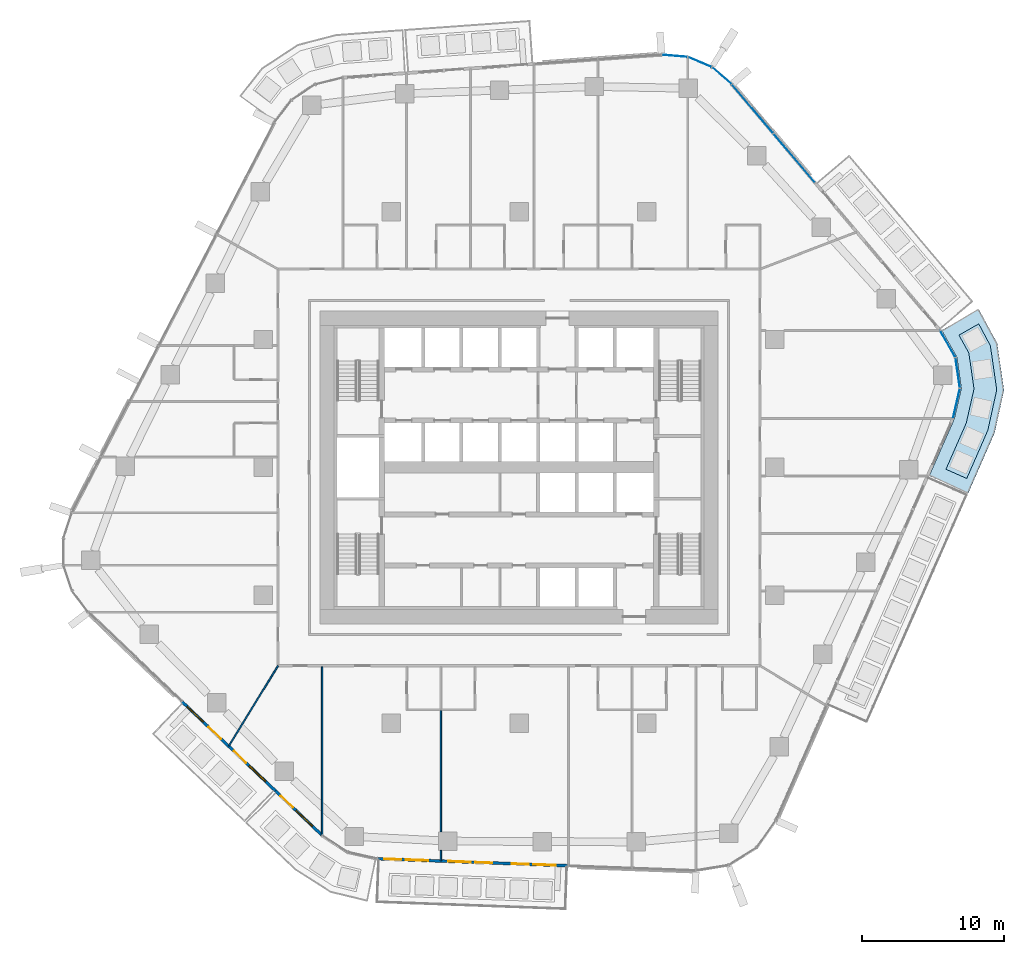
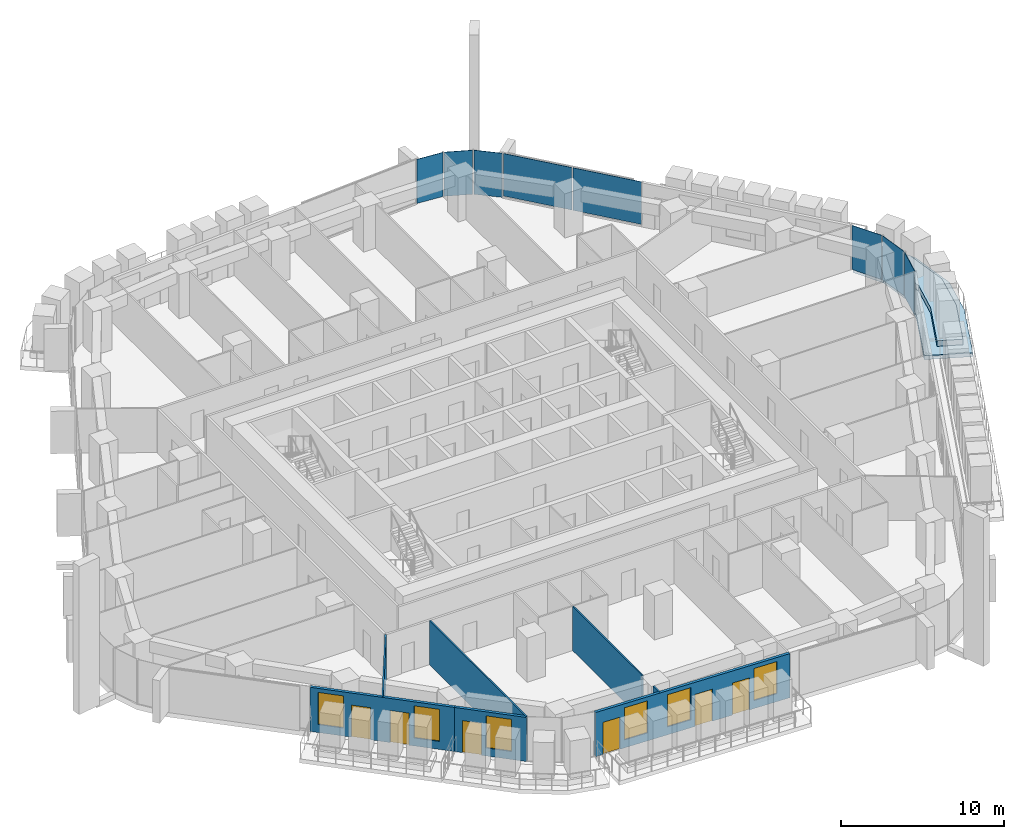
# One storey, part 11 of 24: 8 plates, 7 walls, 6 doors, 6 windows, 2 slabs, 12 openings, 3 elements without a shape of their own.
"""IFC4 building model written with IfcOpenShell, lengths in metres."""

import ifcopenshell
import ifcopenshell.guid

model = None  # the IFC model being written
_history = None  # IfcOwnerHistory: only IFC2X3 demands one
_inside = {}  # id of a spatial element -> (the spatial element, [elements in it])
_under = {}  # id of a project, library or spatial element -> (it, [spatial elements below it])
_declared = {}  # id of a project -> (the project, [libraries it declares])
_typed = {}  # id of a type object -> (the type object, [elements of that type])
_made_of = {}  # id of a material, layer set ... -> (it, [elements and type objects made of it])


def new_model(schema):
    """Start an empty IFC model of exactly this schema.

    Asked for "IFC4X3", IfcOpenShell would pick the latest addendum, in which some entities
    have other attributes; the version numbers below select the first issue.
    IFC2X3 requires an IfcOwnerHistory on every rooted entity: one is made here for all.
    """
    global model, _history
    if schema == "IFC4X3":
        model = ifcopenshell.file(schema_version=(4, 3, 0, 0))
    else:
        model = ifcopenshell.file(schema=schema)
    _inside.clear()
    _under.clear()
    _declared.clear()
    _typed.clear()
    _made_of.clear()
    _history = None
    if model.schema == "IFC2X3":
        org = make("IfcOrganization", Name="unknown")
        user = make(
            "IfcPersonAndOrganization",
            ThePerson=make("IfcPerson", FamilyName="unknown"),
            TheOrganization=org,
        )
        app = make(
            "IfcApplication",
            ApplicationDeveloper=org,
            Version="unknown",
            ApplicationFullName="unknown",
            ApplicationIdentifier="unknown",
        )
        _history = make(
            "IfcOwnerHistory",
            OwningUser=user,
            OwningApplication=app,
            ChangeAction="ADDED",
            CreationDate=0,
        )
    return model


def make(cls, **values):
    """One entity of the class cls with the attributes given. An attribute that is None is left unset."""
    return model.create_entity(
        cls, **{name: value for name, value in values.items() if value is not None}
    )


def rooted(cls, **values):
    """An entity with a GlobalId (a new one), such as an element, a storey or a relation."""
    return make(cls, GlobalId=ifcopenshell.guid.new(), OwnerHistory=_history, **values)


def si_unit(unit_type, name, prefix=None):
    """IfcSIUnit, for example si_unit("LENGTHUNIT", "METRE", prefix="MILLI")."""
    return make("IfcSIUnit", UnitType=unit_type, Prefix=prefix, Name=name)


def assignment(units):
    """IfcUnitAssignment: the units of a project."""
    return None if units is None else make("IfcUnitAssignment", Units=units)


def point(xyz):
    """IfcCartesianPoint."""
    return None if xyz is None else make("IfcCartesianPoint", Coordinates=xyz)


def direction(xyz):
    """IfcDirection."""
    return None if xyz is None else make("IfcDirection", DirectionRatios=xyz)


def frame(location, z_axis=None, x_axis=None):
    """IfcAxis2Placement3D, a coordinate frame: its origin and axes. An axis left out is left unset."""
    return make(
        "IfcAxis2Placement3D",
        Location=point(location),
        Axis=direction(z_axis),
        RefDirection=direction(x_axis),
    )


def frame_2d(location, x_axis=None):
    """IfcAxis2Placement2D, a coordinate frame in the plane: its origin and x axis."""
    return make(
        "IfcAxis2Placement2D", Location=point(location), RefDirection=direction(x_axis)
    )


def origin():
    """The frame at (0, 0, 0) with its axes left unset."""
    return frame((0.0, 0.0, 0.0))


def origin_2d():
    """The frame at (0, 0) in the plane with its x axis left unset."""
    return frame_2d((0.0, 0.0))


def place(relative_to, where):
    """IfcLocalPlacement: puts the frame where relative to a parent placement (None: the world)."""
    return make(
        "IfcLocalPlacement", PlacementRelTo=relative_to, RelativePlacement=where
    )


def context(
    kind, dimensions, precision=None, world=None, true_north=None, identifier=None
):
    """IfcGeometricRepresentationContext, for example the 3D "Model" context."""
    return make(
        "IfcGeometricRepresentationContext",
        ContextIdentifier=identifier,
        ContextType=kind,
        CoordinateSpaceDimension=dimensions,
        Precision=precision,
        WorldCoordinateSystem=world,
        TrueNorth=true_north,
    )


def subcontext(parent, identifier, kind, view, scale=None):
    """IfcGeometricRepresentationSubContext, for example "Body" below "Model"."""
    return make(
        "IfcGeometricRepresentationSubContext",
        ContextIdentifier=identifier,
        ContextType=kind,
        ParentContext=parent,
        TargetScale=scale,
        TargetView=view,
    )


def project(units=None, contexts=None):
    """IfcProject with its units and contexts."""
    return rooted(
        "IfcProject",
        Name="project",
        RepresentationContexts=contexts,
        UnitsInContext=assignment(units),
    )


def spatial(cls, under=None, at=None, **own):
    """A site, building, storey or space (cls), placed at a placement, below another one or the project."""
    s = rooted(cls, ObjectPlacement=at, **own)
    if under is not None:
        _under.setdefault(under.id(), (under, []))[1].append(s)
    return s


def polyline(points):
    """IfcPolyline through the points."""
    return make("IfcPolyline", Points=[point(p) for p in points])


def profile(cls, at=None, kind="AREA", **sizes):
    """A parametric profile (cls). Its sizes go by their IFC names, for example OverallWidth=200.0."""
    return make(cls, ProfileType=kind, Position=at, **sizes)


def rectangle(**sizes):
    """IfcRectangleProfileDef."""
    return profile("IfcRectangleProfileDef", **sizes)


def outline(outer, holes=None, kind="AREA"):
    """IfcArbitraryClosedProfileDef: a profile drawn as a closed curve; with holes, ...WithVoids."""
    if holes is None:
        return make("IfcArbitraryClosedProfileDef", ProfileType=kind, OuterCurve=outer)
    return make(
        "IfcArbitraryProfileDefWithVoids",
        ProfileType=kind,
        OuterCurve=outer,
        InnerCurves=holes,
    )


def extrude(swept, where, along, depth):
    """IfcExtrudedAreaSolid: the profile swept, set in the frame where, extruded along a direction by depth."""
    return make(
        "IfcExtrudedAreaSolid",
        SweptArea=swept,
        Position=where,
        ExtrudedDirection=direction(along),
        Depth=depth,
    )


def shape(context_of_items, identifier, shape_type, items):
    """IfcShapeRepresentation: the items that make up one representation, for example the "Body"."""
    return make(
        "IfcShapeRepresentation",
        ContextOfItems=context_of_items,
        RepresentationIdentifier=identifier,
        RepresentationType=shape_type,
        Items=items,
    )


def material(Name=None, Category=None):
    """IfcMaterial."""
    return make("IfcMaterial", Name=Name, Category=Category)


def layer(
    of_material, thickness, ventilated=None, Name=None, Category=None, Priority=None
):
    """IfcMaterialLayer: one layer of a wall or slab, of a material (None: an air gap)."""
    return make(
        "IfcMaterialLayer",
        Material=of_material,
        LayerThickness=thickness,
        IsVentilated=ventilated,
        Name=Name,
        Category=Category,
        Priority=Priority,
    )


def layer_set(layers, Name=None):
    """IfcMaterialLayerSet."""
    return make("IfcMaterialLayerSet", MaterialLayers=layers, LayerSetName=Name)


def made_of(thing, what):
    """Note that an element or type object is made of a material, layer set ...; save() writes the relation."""
    if what is not None:
        _made_of.setdefault(what.id(), (what, []))[1].append(thing)
    return thing


def type_object(cls, material=None, **own):
    """A type object (cls), such as IfcWallType, which elements share."""
    return made_of(rooted(cls, **own), material)


def element(
    cls,
    number,
    at=None,
    inside=None,
    cuts=None,
    type_object=None,
    material=None,
    context=None,
    identifier="Body",
    shape_type=None,
    held_by="IfcProductDefinitionShape",
    body=None,
    shapes=None,
    **own,
):
    """One element of the class cls, such as IfcWall. Its Tag is "e" and its number.

    at: its placement. inside: the storey or other place that contains it. cuts: it is an
    opening in that element (IfcRelVoidsElement). A single representation is given by context,
    identifier, shape_type and body (its items); several are given by shapes. held_by: the class
    of the entity that holds the representations. save() writes the other relations.
    """
    e = rooted(cls, Tag="e%d" % number, ObjectPlacement=at, **own)
    if body is not None:
        shapes = [shape(context, identifier, shape_type, body)]
    if shapes is not None:
        e.Representation = make(held_by, Representations=shapes)
    if inside is not None:
        _inside.setdefault(inside.id(), (inside, []))[1].append(e)
    if cuts is not None:
        rooted(
            "IfcRelVoidsElement", RelatingBuildingElement=cuts, RelatedOpeningElement=e
        )
    if type_object is not None:
        _typed.setdefault(type_object.id(), (type_object, []))[1].append(e)
    return made_of(e, material)


def fill(opening, filler):
    """IfcRelFillsElement: the door or window that sits in an opening."""
    return rooted(
        "IfcRelFillsElement",
        RelatingOpeningElement=opening,
        RelatedBuildingElement=filler,
    )


def aggregate(whole, parts):
    """IfcRelAggregates: a whole, such as a stair, and the parts it consists of."""
    return rooted("IfcRelAggregates", RelatingObject=whole, RelatedObjects=parts)


def save(model, path):
    """Write the relations noted so far, then the file.

    IfcRelAggregates (storeys below a building ...), IfcRelContainedInSpatialStructure (elements
    in a storey), IfcRelDefinesByType, IfcRelAssociatesMaterial and IfcRelDeclares: one each for
    every whole, place, type object, material and project.
    """
    for whole, parts in _under.values():
        aggregate(whole, parts)
    for where, things in _inside.values():
        rooted(
            "IfcRelContainedInSpatialStructure",
            RelatedElements=things,
            RelatingStructure=where,
        )
    for kind, things in _typed.values():
        rooted("IfcRelDefinesByType", RelatedObjects=things, RelatingType=kind)
    for what, things in _made_of.values():
        rooted("IfcRelAssociatesMaterial", RelatedObjects=things, RelatingMaterial=what)
    for by, libraries in _declared.values():
        rooted("IfcRelDeclares", RelatingContext=by, RelatedDefinitions=libraries)
    model.write(path)


model = new_model("IFC4")

# Units and contexts
model_context = context("Model", 3, precision=1e-05, world=origin(), true_north=direction((0.0, 1.0)))
body_context = subcontext(model_context, "Body", "Model", "MODEL_VIEW")
ifc_project = project(units=[si_unit("LENGTHUNIT", "METRE"), si_unit("AREAUNIT", "SQUARE_METRE"), si_unit("VOLUMEUNIT", "CUBIC_METRE"), si_unit("PLANEANGLEUNIT", "RADIAN"), si_unit("MASSUNIT", "GRAM", prefix="KILO")], contexts=[model_context])

# Site, building, storey
site_placement = place(None, origin())
site = spatial("IfcSite", under=ifc_project, at=site_placement, CompositionType="ELEMENT")
building_placement = place(site_placement, origin())
building = spatial("IfcBuilding", under=site, at=building_placement, Name="Dongbaek Canopy Tower", CompositionType="ELEMENT")
storey_placement = place(building_placement, frame((0.0, 0.0, 106.300048828125)))
storey = spatial("IfcBuildingStorey", under=building, at=storey_placement, Name="L22", CompositionType="ELEMENT", Elevation=106.300048828125)

# Slab
ifc_material_1 = material(Name="Concrete C40/50", Category="concrete")
ifc_layer_1 = layer(ifc_material_1, 0.300048828125)
ifc_layer_set_1 = layer_set([ifc_layer_1], Name="Balcony slab 300")
slab_type_1 = type_object("IfcSlabType", Name="Balcony slab 300", PredefinedType="FLOOR", material=ifc_layer_set_1)
slab_1_placement = place(storey_placement, frame((0.0, 0.0, -0.300048828125)))
element("IfcSlab", 1, at=slab_1_placement, inside=storey, type_object=slab_type_1, Name="Balcony L22 6", PredefinedType="FLOOR", context=body_context, shape_type="SweptSolid", body=[
    extrude(outline(polyline([(28.859130859375, -0.596435546875), (30.619384765625, 3.397216796875), (31.123291015625, 5.561279296875), (30.80517578125, 7.760498046875), (29.733154296875, 9.649658203125), (32.342529296875, 11.13037109375), (33.6435546875, 8.732421875), (34.12060546875, 5.43359375), (33.465087890625, 2.44775390625), (31.6044921875, -1.806396484375), (28.859130859375, -0.596435546875)])), origin(), (0.0, 0.0, 1.0), 0.300048828125),
])

# Curtain wall, plates
ifc_material_2 = material(Name="Aluminium 6063-T6 pale anodised", Category="aluminium")
ifc_layer_2 = layer(ifc_material_2, 0.199951171875)
ifc_layer_set_2 = layer_set([ifc_layer_2], Name="CW-1 unitised tower curtain wall")
curtain_wall_type = type_object("IfcCurtainWallType", Name="CW-1 unitised tower curtain wall", PredefinedType="NOTDEFINED", material=ifc_layer_set_2)
curtain_wall_1_placement = place(storey_placement, origin())
curtain_wall_1 = element("IfcCurtainWall", 2, at=curtain_wall_1_placement, inside=storey, type_object=curtain_wall_type, Name="CW-1 curtain wall K0.1", PredefinedType="NOTDEFINED")
ifc_material_3 = material(Name="Clear laminated glass", Category="glass")
ifc_layer_3 = layer(ifc_material_3, 0.028076171875)
ifc_layer_set_3 = layer_set([ifc_layer_3], Name="CW-1 glazed panel 28")
plate_type = type_object("IfcPlateType", Name="CW-1 glazed panel 28", PredefinedType="CURTAIN_PANEL", material=ifc_layer_set_3)
plate_1_placement = place(storey_placement, frame((30.77294921875, 4.497314453125, 0.0), z_axis=(0.0, 0.0, 1.0), x_axis=(0.226863171729, 0.973926640622, 0.0)))
plate_1 = element("IfcPlate", 3, at=plate_1_placement, type_object=plate_type, Name="CW-1 panel K0.1.1.1", PredefinedType="CURTAIN_PANEL", context=body_context, shape_type="SweptSolid", body=[
    extrude(rectangle(XDim=2.10986328125, YDim=0.028076171875, at=origin_2d()), origin(), (0.0, 0.0, 1.0), 3.300048828125),
])
plate_2_placement = place(storey_placement, frame((30.865478515625, 6.646728515625, 0.0), z_axis=(0.0, 0.0, 1.0), x_axis=(-0.143155516293, 0.989700206201, 0.0)))
plate_2 = element("IfcPlate", 4, at=plate_2_placement, type_object=plate_type, Name="CW-1 panel K0.1.2.1", PredefinedType="CURTAIN_PANEL", context=body_context, shape_type="SweptSolid", body=[
    extrude(rectangle(XDim=2.100341796875, YDim=0.028076171875, at=origin_2d()), origin(), (0.0, 0.0, 1.0), 3.300048828125),
])
plate_3_placement = place(storey_placement, frame((30.167724609375, 8.681640625, 0.0), z_axis=(0.0, 0.0, 1.0), x_axis=(-0.493538616507, 0.869723883779, 0.0)))
plate_3 = element("IfcPlate", 5, at=plate_3_placement, type_object=plate_type, Name="CW-1 panel K0.1.3.1", PredefinedType="CURTAIN_PANEL", context=body_context, shape_type="SweptSolid", body=[
    extrude(rectangle(XDim=2.10986328125, YDim=0.028076171875, at=origin_2d()), origin(), (0.0, 0.0, 1.0), 3.300048828125),
])
aggregate(curtain_wall_1, [plate_1, plate_2, plate_3])

curtain_wall_2_placement = place(storey_placement, origin())
curtain_wall_2 = element("IfcCurtainWall", 6, at=curtain_wall_2_placement, inside=storey, type_object=curtain_wall_type, Name="CW-1 curtain wall F0.1", PredefinedType="NOTDEFINED")
plate_4_placement = place(storey_placement, frame((19.363037109375, 21.761474609375, 0.1201171875), z_axis=(0.0, 0.0, 1.0), x_axis=(-0.646056104712, 0.763289924972, 0.0)))
plate_4 = element("IfcPlate", 7, at=plate_4_placement, type_object=plate_type, Name="CW-1 panel F0.1.1.1", PredefinedType="CURTAIN_PANEL", context=body_context, shape_type="SweptSolid", body=[
    extrude(rectangle(XDim=4.45751953125, YDim=0.028076171875, at=origin_2d()), origin(), (0.0, 0.0, 1.0), 3.179931640625),
])
plate_5_placement = place(storey_placement, frame((16.431396484375, 25.224853515625, 0.1201171875), z_axis=(0.0, 0.0, 1.0), x_axis=(-0.646056104712, 0.763289924972, 0.0)))
plate_5 = element("IfcPlate", 8, at=plate_5_placement, type_object=plate_type, Name="CW-1 panel F0.1.2.1", PredefinedType="CURTAIN_PANEL", context=body_context, shape_type="SweptSolid", body=[
    extrude(rectangle(XDim=4.44970703125, YDim=0.028076171875, at=origin_2d()), origin(), (0.0, 0.0, 1.0), 3.179931640625),
])
aggregate(curtain_wall_2, [plate_4, plate_5])

curtain_wall_3_placement = place(storey_placement, origin())
curtain_wall_3 = element("IfcCurtainWall", 9, at=curtain_wall_3_placement, inside=storey, type_object=curtain_wall_type, Name="CW-1 curtain wall K1.1", PredefinedType="NOTDEFINED")
plate_6_placement = place(storey_placement, frame((14.266845703125, 27.55908203125, 0.0), z_axis=(0.0, 0.0, 1.0), x_axis=(-0.757258468525, 0.653115312825, 0.0)))
plate_6 = element("IfcPlate", 10, at=plate_6_placement, type_object=plate_type, Name="CW-1 panel K1.1.1.1", PredefinedType="CURTAIN_PANEL", context=body_context, shape_type="SweptSolid", body=[
    extrude(rectangle(XDim=1.76513671875, YDim=0.028076171875, at=origin_2d()), origin(), (0.0, 0.0, 1.0), 3.300048828125),
])
plate_7_placement = place(storey_placement, frame((12.71826171875, 28.519775390625, 0.0), z_axis=(0.0, 0.0, 1.0), x_axis=(-0.92172443786, 0.387845408186, 0.0)))
plate_7 = element("IfcPlate", 11, at=plate_7_placement, type_object=plate_type, Name="CW-1 panel K1.1.2.1", PredefinedType="CURTAIN_PANEL", context=body_context, shape_type="SweptSolid", body=[
    extrude(rectangle(XDim=1.757080078125, YDim=0.028076171875, at=origin_2d()), origin(), (0.0, 0.0, 1.0), 3.300048828125),
])
plate_8_placement = place(storey_placement, frame((10.948486328125, 28.955322265625, 0.0), z_axis=(0.0, 0.0, 1.0), x_axis=(-0.996398614139, 0.084792698641, 0.0)))
plate_8 = element("IfcPlate", 12, at=plate_8_placement, type_object=plate_type, Name="CW-1 panel K1.1.3.1", PredefinedType="CURTAIN_PANEL", context=body_context, shape_type="SweptSolid", body=[
    extrude(rectangle(XDim=1.76513671875, YDim=0.028076171875, at=origin_2d()), origin(), (0.0, 0.0, 1.0), 3.300048828125),
])
aggregate(curtain_wall_3, [plate_6, plate_7, plate_8])

# Slab
ifc_material_4 = material(Name="Reinforced concrete C40/50 planter box with soil", Category="concrete")
ifc_layer_4 = layer(ifc_material_4, 0.419921875)
ifc_layer_set_4 = layer_set([ifc_layer_4], Name="Terrace planter box 1600 x 420")
slab_type_2 = type_object("IfcSlabType", Name="Terrace planter box 1600 x 420", PredefinedType="USERDEFINED", material=ifc_layer_set_4)
slab_2_placement = place(storey_placement, origin())
element("IfcSlab", 13, at=slab_2_placement, inside=storey, type_object=slab_type_2, Name="Balcony planter L22 6", ObjectType="PLANTER", PredefinedType="USERDEFINED", context=body_context, shape_type="SweptSolid", body=[
    extrude(outline(polyline([(30.03662109375, -0.1318359375), (31.463623046875, 3.115478515625), (32.0126953125, 5.5234375), (31.647216796875, 8.048828125), (30.951416015625, 9.30615234375), (32.343017578125, 10.095947265625), (33.1611328125, 8.567138671875), (33.611083984375, 5.455322265625), (32.9814453125, 2.609130859375), (31.500732421875, -0.777099609375), (30.03662109375, -0.1318359375)])), origin(), (0.0, 0.0, 1.0), 0.419921875),
])

# Walls
ifc_material_5 = material(Name="Gypsum board partition, steel stud, 2 x 12.5 mm board", Category="steel")
ifc_layer_5 = layer(ifc_material_5, 0.10009765625)
ifc_layer_set_5 = layer_set([ifc_layer_5], Name="Partition 100 gypsum board")
wall_type_1 = type_object("IfcWallType", Name="Partition 100 gypsum board", PredefinedType="PARTITIONING", material=ifc_layer_set_5)
wall_1_placement = place(storey_placement, frame((-20.415283203125, -19.595703125, 0.0), z_axis=(0.0, 0.0, 1.0), x_axis=(0.5230874117, 0.85227903865, 0.0)))
element("IfcWall", 14, at=wall_1_placement, inside=storey, type_object=wall_type_1, Name="Partition", PredefinedType="PARTITIONING", context=body_context, shape_type="SweptSolid", body=[
    extrude(rectangle(XDim=6.624267578125, YDim=0.10009765625, at=frame_2d((3.31201171875, 0.0))), origin(), (0.0, 0.0, 1.0), 3.300048828125),
])
wall_2_placement = place(storey_placement, frame((-5.491943359375, -27.673095703125, 0.0), z_axis=(0.0, 0.0, 1.0), x_axis=(0.0, 1.0, 0.0)))
element("IfcWall", 15, at=wall_2_placement, inside=storey, type_object=wall_type_1, Name="Partition", PredefinedType="PARTITIONING", context=body_context, shape_type="SweptSolid", body=[
    extrude(rectangle(XDim=0.733154296875, YDim=0.10009765625, at=frame_2d((0.36669921875, 0.0))), origin(), (0.0, 0.0, 1.0), 3.300048828125),
])
wall_3_placement = place(storey_placement, frame((-5.491943359375, -25.639892578125, 0.0), z_axis=(0.0, 0.0, 1.0), x_axis=(0.0, 1.0, 0.0)))
element("IfcWall", 16, at=wall_3_placement, inside=storey, type_object=wall_type_1, Name="Partition", PredefinedType="PARTITIONING", context=body_context, shape_type="SweptSolid", body=[
    extrude(rectangle(XDim=8.539794921875, YDim=0.10009765625, at=frame_2d((4.27001953125, 0.0))), origin(), (0.0, 0.0, 1.0), 3.300048828125),
])
wall_4_placement = place(storey_placement, frame((-13.846923828125, -25.865234375, 0.0), z_axis=(0.0, 0.0, 1.0), x_axis=(0.0, 1.0, 0.0)))
element("IfcWall", 17, at=wall_4_placement, inside=storey, type_object=wall_type_1, Name="Partition", PredefinedType="PARTITIONING", context=body_context, shape_type="SweptSolid", body=[
    extrude(rectangle(XDim=11.84033203125, YDim=0.10009765625, at=frame_2d((5.920166015625, 0.0))), origin(), (0.0, 0.0, 1.0), 3.300048828125),
])

# Wall, openings, doors, windows
ifc_material_6 = material(Name="Aluminium window wall", Category="aluminium")
ifc_layer_6 = layer(ifc_material_6, 0.199951171875)
ifc_layer_set_6 = layer_set([ifc_layer_6], Name="Window wall 200")
wall_type_2 = type_object("IfcWallType", Name="Window wall 200", PredefinedType="SOLIDWALL", material=ifc_layer_set_6)
wall_5_placement = place(storey_placement, frame((-23.718017578125, -16.470703125, 0.0), z_axis=(0.0, 0.0, 1.0), x_axis=(0.723342757747, -0.690489141706, 0.0)))
wall_5 = element("IfcWall", 18, at=wall_5_placement, inside=storey, type_object=wall_type_2, Name="Window wall L22 3", PredefinedType="SOLIDWALL", context=body_context, shape_type="SweptSolid", body=[
    extrude(rectangle(XDim=9.103271484375, YDim=0.199951171875, at=frame_2d((4.5517578125, 0.0))), origin(), (0.0, 0.0, 1.0), 3.300048828125),
])
opening_1_placement = place(wall_5_placement, frame((0.5, 0.0, 0.60009765625)))
opening_1 = element("IfcOpeningElement", 19, at=opening_1_placement, cuts=wall_5, Name="Opening W1", PredefinedType="OPENING", context=body_context, shape_type="SweptSolid", body=[
    extrude(rectangle(XDim=1.60009765625, YDim=2.39990234375, at=frame_2d((0.800048828125, 1.199951171875))), frame((0.0, 0.10986328125, 0.0), z_axis=(0.0, -1.0, 0.0), x_axis=(1.0, 0.0, 0.0)), (0.0, 0.0, 1.0), 0.219970703125),
])
opening_2_placement = place(wall_5_placement, frame((2.60009765625, 0.0, 0.0)))
opening_2 = element("IfcOpeningElement", 20, at=opening_2_placement, cuts=wall_5, Name="Opening L22-B07", PredefinedType="OPENING", context=body_context, shape_type="SweptSolid", body=[
    extrude(rectangle(XDim=1.199951171875, YDim=2.39990234375, at=frame_2d((0.60009765625, 1.199951171875))), frame((0.0, 0.10986328125, 0.0), z_axis=(0.0, -1.0, 0.0), x_axis=(1.0, 0.0, 0.0)), (0.0, 0.0, 1.0), 0.219970703125),
])
opening_3_placement = place(wall_5_placement, frame((6.5517578125, 0.0, 0.60009765625)))
opening_3 = element("IfcOpeningElement", 21, at=opening_3_placement, cuts=wall_5, Name="Opening W1", PredefinedType="OPENING", context=body_context, shape_type="SweptSolid", body=[
    extrude(rectangle(XDim=1.60009765625, YDim=2.39990234375, at=frame_2d((0.800048828125, 1.199951171875))), frame((0.0, 0.10986328125, 0.0), z_axis=(0.0, -1.0, 0.0), x_axis=(1.0, 0.0, 0.0)), (0.0, 0.0, 1.0), 0.219970703125),
])
opening_4_placement = place(wall_5_placement, frame((5.0517578125, 0.0, 0.0)))
opening_4 = element("IfcOpeningElement", 22, at=opening_4_placement, cuts=wall_5, Name="Opening L22-B08", PredefinedType="OPENING", context=body_context, shape_type="SweptSolid", body=[
    extrude(rectangle(XDim=1.199951171875, YDim=2.39990234375, at=frame_2d((0.60009765625, 1.199951171875))), frame((0.0, 0.10986328125, 0.0), z_axis=(0.0, -1.0, 0.0), x_axis=(1.0, 0.0, 0.0)), (0.0, 0.0, 1.0), 0.219970703125),
])
ifc_material_7 = material(Name="Clear glazing in aluminium frame", Category="aluminium")
door_type = type_object("IfcDoorType", Name="Balcony door BD1 1200 x 2400", OperationType="SLIDING_TO_LEFT", PredefinedType="DOOR", material=ifc_material_7)
door_1_placement = place(opening_2_placement, origin())
door_1 = element("IfcDoor", 23, at=door_1_placement, inside=storey, type_object=door_type, Name="Balcony door L22-B07", OperationType="SLIDING_TO_LEFT", OverallHeight=2.39990234375, OverallWidth=1.199951171875, PredefinedType="DOOR", context=body_context, shape_type="SweptSolid", body=[
    extrude(rectangle(XDim=1.199951171875, YDim=2.39990234375, at=frame_2d((0.60009765625, 1.199951171875))), frame((0.0, 0.02490234375, 0.0), z_axis=(0.0, -1.0, 0.0), x_axis=(1.0, 0.0, 0.0)), (0.0, 0.0, 1.0), 0.050048828125),
])
fill(opening_2, door_1)
door_2_placement = place(opening_4_placement, origin())
door_2 = element("IfcDoor", 24, at=door_2_placement, inside=storey, type_object=door_type, Name="Balcony door L22-B08", OperationType="SLIDING_TO_LEFT", OverallHeight=2.39990234375, OverallWidth=1.199951171875, PredefinedType="DOOR", context=body_context, shape_type="SweptSolid", body=[
    extrude(rectangle(XDim=1.199951171875, YDim=2.39990234375, at=frame_2d((0.60009765625, 1.199951171875))), frame((0.0, 0.02490234375, 0.0), z_axis=(0.0, -1.0, 0.0), x_axis=(1.0, 0.0, 0.0)), (0.0, 0.0, 1.0), 0.050048828125),
])
fill(opening_4, door_2)
ifc_material_8 = material(Name="Clear glazing in aluminium frame", Category="aluminium")
window_type = type_object("IfcWindowType", Name="Window W1 1600 x 2400", PartitioningType="SINGLE_PANEL", PredefinedType="WINDOW", material=ifc_material_8)
window_1_placement = place(opening_1_placement, origin())
window_1 = element("IfcWindow", 25, at=window_1_placement, inside=storey, type_object=window_type, Name="Window L22 3.1", OverallHeight=2.39990234375, OverallWidth=1.60009765625, PartitioningType="SINGLE_PANEL", PredefinedType="WINDOW", context=body_context, shape_type="SweptSolid", body=[
    extrude(rectangle(XDim=1.60009765625, YDim=2.39990234375, at=frame_2d((0.800048828125, 1.199951171875))), frame((0.0, 0.030029296875, 0.0), z_axis=(0.0, -1.0, 0.0), x_axis=(1.0, 0.0, 0.0)), (0.0, 0.0, 1.0), 0.06005859375),
])
fill(opening_1, window_1)
window_2_placement = place(opening_3_placement, origin())
window_2 = element("IfcWindow", 26, at=window_2_placement, inside=storey, type_object=window_type, Name="Window L22 3.2", OverallHeight=2.39990234375, OverallWidth=1.60009765625, PartitioningType="SINGLE_PANEL", PredefinedType="WINDOW", context=body_context, shape_type="SweptSolid", body=[
    extrude(rectangle(XDim=1.60009765625, YDim=2.39990234375, at=frame_2d((0.800048828125, 1.199951171875))), frame((0.0, 0.030029296875, 0.0), z_axis=(0.0, -1.0, 0.0), x_axis=(1.0, 0.0, 0.0)), (0.0, 0.0, 1.0), 0.06005859375),
])
fill(opening_3, window_2)

# Wall, openings, door, window
wall_6_placement = place(storey_placement, frame((-17.13330078125, -22.75634765625, 0.0), z_axis=(0.0, 0.0, 1.0), x_axis=(0.723361644964, -0.69046935529, 0.0)))
wall_6 = element("IfcWall", 27, at=wall_6_placement, inside=storey, type_object=wall_type_2, Name="Window wall L22 8", PredefinedType="SOLIDWALL", context=body_context, shape_type="SweptSolid", body=[
    extrude(rectangle(XDim=4.54248046875, YDim=0.199951171875, at=frame_2d((2.271240234375, 0.0))), origin(), (0.0, 0.0, 1.0), 3.300048828125),
])
opening_5_placement = place(wall_6_placement, frame((2.0, 0.0, 0.60009765625)))
opening_5 = element("IfcOpeningElement", 28, at=opening_5_placement, cuts=wall_6, Name="Opening W1", PredefinedType="OPENING", context=body_context, shape_type="SweptSolid", body=[
    extrude(rectangle(XDim=1.60009765625, YDim=2.39990234375, at=frame_2d((0.800048828125, 1.199951171875))), frame((0.0, 0.10986328125, 0.0), z_axis=(0.0, -1.0, 0.0), x_axis=(1.0, 0.0, 0.0)), (0.0, 0.0, 1.0), 0.219970703125),
])
opening_6_placement = place(wall_6_placement, frame((0.5, 0.0, 0.0)))
opening_6 = element("IfcOpeningElement", 29, at=opening_6_placement, cuts=wall_6, Name="Opening L22-B09", PredefinedType="OPENING", context=body_context, shape_type="SweptSolid", body=[
    extrude(rectangle(XDim=1.199951171875, YDim=2.39990234375, at=frame_2d((0.60009765625, 1.199951171875))), frame((0.0, 0.10986328125, 0.0), z_axis=(0.0, -1.0, 0.0), x_axis=(1.0, 0.0, 0.0)), (0.0, 0.0, 1.0), 0.219970703125),
])
door_3_placement = place(opening_6_placement, origin())
door_3 = element("IfcDoor", 30, at=door_3_placement, inside=storey, type_object=door_type, Name="Balcony door L22-B09", OperationType="SLIDING_TO_LEFT", OverallHeight=2.39990234375, OverallWidth=1.199951171875, PredefinedType="DOOR", context=body_context, shape_type="SweptSolid", body=[
    extrude(rectangle(XDim=1.199951171875, YDim=2.39990234375, at=frame_2d((0.60009765625, 1.199951171875))), frame((0.0, 0.02490234375, 0.0), z_axis=(0.0, -1.0, 0.0), x_axis=(1.0, 0.0, 0.0)), (0.0, 0.0, 1.0), 0.050048828125),
])
fill(opening_6, door_3)
window_3_placement = place(opening_5_placement, origin())
window_3 = element("IfcWindow", 31, at=window_3_placement, inside=storey, type_object=window_type, Name="Window L22 8.1", OverallHeight=2.39990234375, OverallWidth=1.60009765625, PartitioningType="SINGLE_PANEL", PredefinedType="WINDOW", context=body_context, shape_type="SweptSolid", body=[
    extrude(rectangle(XDim=1.60009765625, YDim=2.39990234375, at=frame_2d((0.800048828125, 1.199951171875))), frame((0.0, 0.030029296875, 0.0), z_axis=(0.0, -1.0, 0.0), x_axis=(1.0, 0.0, 0.0)), (0.0, 0.0, 1.0), 0.06005859375),
])
fill(opening_5, window_3)

# Wall, openings, doors, windows
wall_7_placement = place(storey_placement, frame((-9.975341796875, -27.52783203125, 0.0), z_axis=(0.0, 0.0, 1.0), x_axis=(0.999319917794, -0.036874135924, 0.0)))
wall_7 = element("IfcWall", 32, at=wall_7_placement, inside=storey, type_object=wall_type_2, Name="Window wall L22 4", PredefinedType="SOLIDWALL", context=body_context, shape_type="SweptSolid", body=[
    extrude(rectangle(XDim=13.460205078125, YDim=0.199951171875, at=frame_2d((6.72998046875, 0.0))), origin(), (0.0, 0.0, 1.0), 3.300048828125),
])
opening_7_placement = place(wall_7_placement, frame((2.0, 0.0, 0.60009765625)))
opening_7 = element("IfcOpeningElement", 33, at=opening_7_placement, cuts=wall_7, Name="Opening W1", PredefinedType="OPENING", context=body_context, shape_type="SweptSolid", body=[
    extrude(rectangle(XDim=1.60009765625, YDim=2.39990234375, at=frame_2d((0.800048828125, 1.199951171875))), frame((0.0, 0.10986328125, 0.0), z_axis=(0.0, -1.0, 0.0), x_axis=(1.0, 0.0, 0.0)), (0.0, 0.0, 1.0), 0.219970703125),
])
opening_8_placement = place(wall_7_placement, frame((0.5, 0.0, 0.0)))
opening_8 = element("IfcOpeningElement", 34, at=opening_8_placement, cuts=wall_7, Name="Opening L22-B10", PredefinedType="OPENING", context=body_context, shape_type="SweptSolid", body=[
    extrude(rectangle(XDim=1.199951171875, YDim=2.39990234375, at=frame_2d((0.60009765625, 1.199951171875))), frame((0.0, 0.10986328125, 0.0), z_axis=(0.0, -1.0, 0.0), x_axis=(1.0, 0.0, 0.0)), (0.0, 0.0, 1.0), 0.219970703125),
])
opening_9_placement = place(wall_7_placement, frame((4.98681640625, 0.0, 0.60009765625)))
opening_9 = element("IfcOpeningElement", 35, at=opening_9_placement, cuts=wall_7, Name="Opening W1", PredefinedType="OPENING", context=body_context, shape_type="SweptSolid", body=[
    extrude(rectangle(XDim=1.60009765625, YDim=2.39990234375, at=frame_2d((0.800048828125, 1.199951171875))), frame((0.0, 0.10986328125, 0.0), z_axis=(0.0, -1.0, 0.0), x_axis=(1.0, 0.0, 0.0)), (0.0, 0.0, 1.0), 0.219970703125),
])
opening_10_placement = place(wall_7_placement, frame((6.88671875, 0.0, 0.0)))
opening_10 = element("IfcOpeningElement", 36, at=opening_10_placement, cuts=wall_7, Name="Opening L22-B11", PredefinedType="OPENING", context=body_context, shape_type="SweptSolid", body=[
    extrude(rectangle(XDim=1.199951171875, YDim=2.39990234375, at=frame_2d((0.60009765625, 1.199951171875))), frame((0.0, 0.10986328125, 0.0), z_axis=(0.0, -1.0, 0.0), x_axis=(1.0, 0.0, 0.0)), (0.0, 0.0, 1.0), 0.219970703125),
])
opening_11_placement = place(wall_7_placement, frame((10.9736328125, 0.0, 0.60009765625)))
opening_11 = element("IfcOpeningElement", 37, at=opening_11_placement, cuts=wall_7, Name="Opening W1", PredefinedType="OPENING", context=body_context, shape_type="SweptSolid", body=[
    extrude(rectangle(XDim=1.60009765625, YDim=2.39990234375, at=frame_2d((0.800048828125, 1.199951171875))), frame((0.0, 0.10986328125, 0.0), z_axis=(0.0, -1.0, 0.0), x_axis=(1.0, 0.0, 0.0)), (0.0, 0.0, 1.0), 0.219970703125),
])
opening_12_placement = place(wall_7_placement, frame((9.4736328125, 0.0, 0.0)))
opening_12 = element("IfcOpeningElement", 38, at=opening_12_placement, cuts=wall_7, Name="Opening L22-B12", PredefinedType="OPENING", context=body_context, shape_type="SweptSolid", body=[
    extrude(rectangle(XDim=1.199951171875, YDim=2.39990234375, at=frame_2d((0.60009765625, 1.199951171875))), frame((0.0, 0.10986328125, 0.0), z_axis=(0.0, -1.0, 0.0), x_axis=(1.0, 0.0, 0.0)), (0.0, 0.0, 1.0), 0.219970703125),
])
door_4_placement = place(opening_8_placement, origin())
door_4 = element("IfcDoor", 39, at=door_4_placement, inside=storey, type_object=door_type, Name="Balcony door L22-B10", OperationType="SLIDING_TO_LEFT", OverallHeight=2.39990234375, OverallWidth=1.199951171875, PredefinedType="DOOR", context=body_context, shape_type="SweptSolid", body=[
    extrude(rectangle(XDim=1.199951171875, YDim=2.39990234375, at=frame_2d((0.60009765625, 1.199951171875))), frame((0.0, 0.02490234375, 0.0), z_axis=(0.0, -1.0, 0.0), x_axis=(1.0, 0.0, 0.0)), (0.0, 0.0, 1.0), 0.050048828125),
])
fill(opening_8, door_4)
door_5_placement = place(opening_10_placement, origin())
door_5 = element("IfcDoor", 40, at=door_5_placement, inside=storey, type_object=door_type, Name="Balcony door L22-B11", OperationType="SLIDING_TO_LEFT", OverallHeight=2.39990234375, OverallWidth=1.199951171875, PredefinedType="DOOR", context=body_context, shape_type="SweptSolid", body=[
    extrude(rectangle(XDim=1.199951171875, YDim=2.39990234375, at=frame_2d((0.60009765625, 1.199951171875))), frame((0.0, 0.02490234375, 0.0), z_axis=(0.0, -1.0, 0.0), x_axis=(1.0, 0.0, 0.0)), (0.0, 0.0, 1.0), 0.050048828125),
])
fill(opening_10, door_5)
door_6_placement = place(opening_12_placement, origin())
door_6 = element("IfcDoor", 41, at=door_6_placement, inside=storey, type_object=door_type, Name="Balcony door L22-B12", OperationType="SLIDING_TO_LEFT", OverallHeight=2.39990234375, OverallWidth=1.199951171875, PredefinedType="DOOR", context=body_context, shape_type="SweptSolid", body=[
    extrude(rectangle(XDim=1.199951171875, YDim=2.39990234375, at=frame_2d((0.60009765625, 1.199951171875))), frame((0.0, 0.02490234375, 0.0), z_axis=(0.0, -1.0, 0.0), x_axis=(1.0, 0.0, 0.0)), (0.0, 0.0, 1.0), 0.050048828125),
])
fill(opening_12, door_6)
window_4_placement = place(opening_7_placement, origin())
window_4 = element("IfcWindow", 42, at=window_4_placement, inside=storey, type_object=window_type, Name="Window L22 4.1", OverallHeight=2.39990234375, OverallWidth=1.60009765625, PartitioningType="SINGLE_PANEL", PredefinedType="WINDOW", context=body_context, shape_type="SweptSolid", body=[
    extrude(rectangle(XDim=1.60009765625, YDim=2.39990234375, at=frame_2d((0.800048828125, 1.199951171875))), frame((0.0, 0.030029296875, 0.0), z_axis=(0.0, -1.0, 0.0), x_axis=(1.0, 0.0, 0.0)), (0.0, 0.0, 1.0), 0.06005859375),
])
fill(opening_7, window_4)
window_5_placement = place(opening_9_placement, origin())
window_5 = element("IfcWindow", 43, at=window_5_placement, inside=storey, type_object=window_type, Name="Window L22 4.2", OverallHeight=2.39990234375, OverallWidth=1.60009765625, PartitioningType="SINGLE_PANEL", PredefinedType="WINDOW", context=body_context, shape_type="SweptSolid", body=[
    extrude(rectangle(XDim=1.60009765625, YDim=2.39990234375, at=frame_2d((0.800048828125, 1.199951171875))), frame((0.0, 0.030029296875, 0.0), z_axis=(0.0, -1.0, 0.0), x_axis=(1.0, 0.0, 0.0)), (0.0, 0.0, 1.0), 0.06005859375),
])
fill(opening_9, window_5)
window_6_placement = place(opening_11_placement, origin())
window_6 = element("IfcWindow", 44, at=window_6_placement, inside=storey, type_object=window_type, Name="Window L22 4.3", OverallHeight=2.39990234375, OverallWidth=1.60009765625, PartitioningType="SINGLE_PANEL", PredefinedType="WINDOW", context=body_context, shape_type="SweptSolid", body=[
    extrude(rectangle(XDim=1.60009765625, YDim=2.39990234375, at=frame_2d((0.800048828125, 1.199951171875))), frame((0.0, 0.030029296875, 0.0), z_axis=(0.0, -1.0, 0.0), x_axis=(1.0, 0.0, 0.0)), (0.0, 0.0, 1.0), 0.06005859375),
])
fill(opening_11, window_6)

save(model, "model.ifc")
